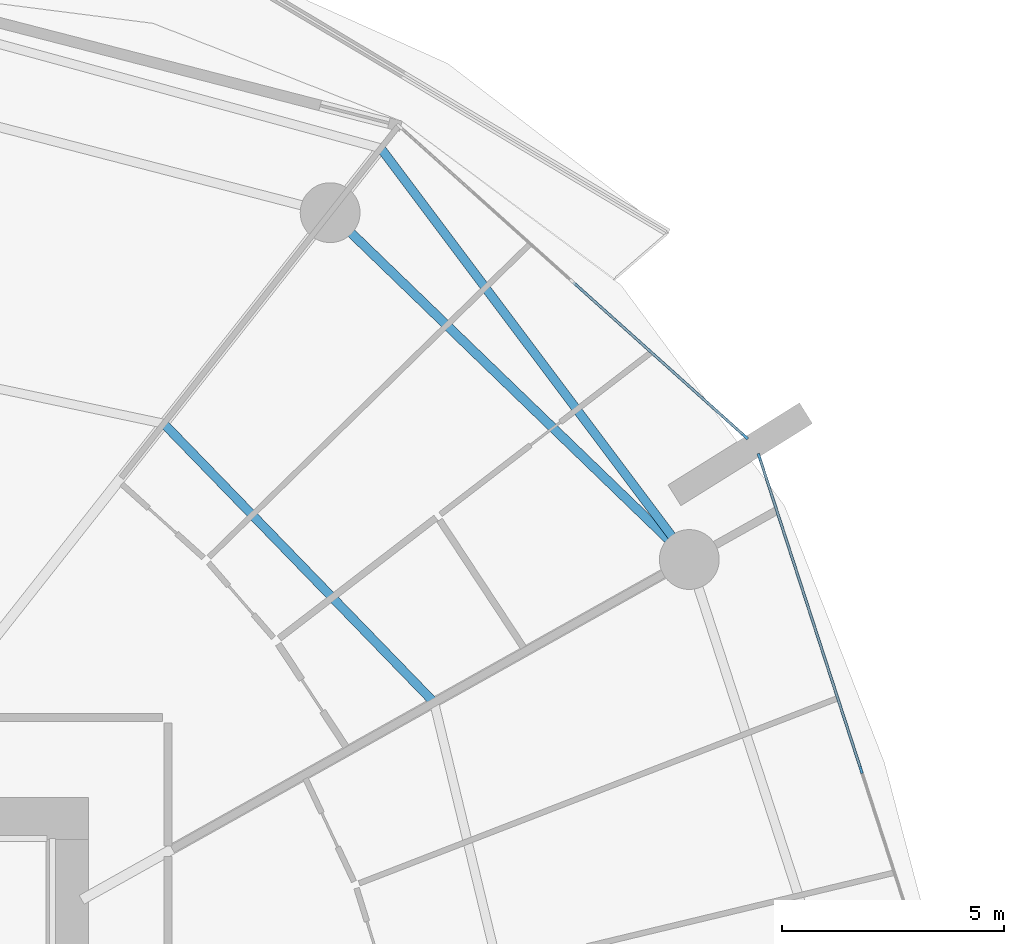
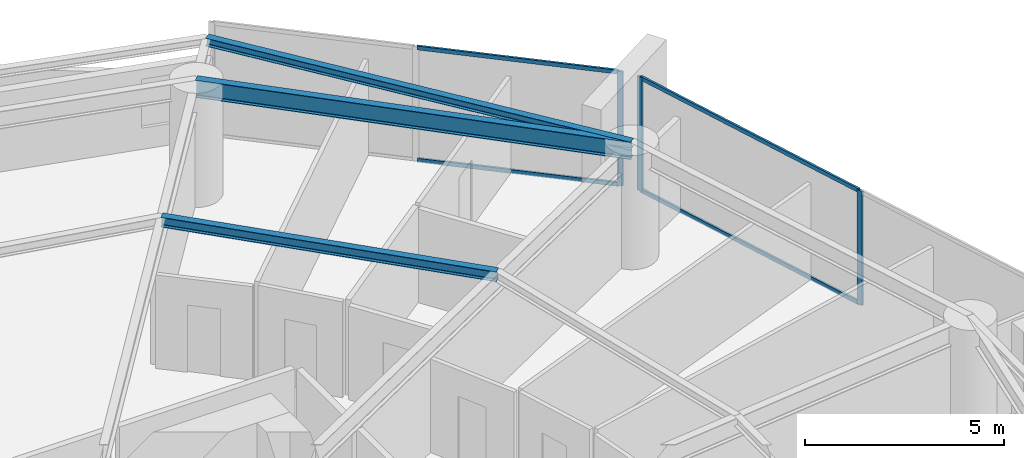
# One storey, part 15 of 31: 7 members, 3 beams, 2 elements without a shape of their own.
"""IFC4 building model written with IfcOpenShell, lengths in metres."""

from ifc_helpers import new_model, si_unit, direction, frame, origin, origin_2d, place, context, subcontext, project, spatial, rectangle, i_section, extrude, material, layer, layer_set, material_profile, profile_set, type_object, element, aggregate, save


model = new_model("IFC4")

# Units and contexts
model_context = context("Model", 3, precision=1e-05, world=origin(), true_north=direction((0.0, 1.0)))
body_context = subcontext(model_context, "Body", "Model", "MODEL_VIEW")
ifc_project = project(units=[si_unit("LENGTHUNIT", "METRE"), si_unit("AREAUNIT", "SQUARE_METRE"), si_unit("VOLUMEUNIT", "CUBIC_METRE"), si_unit("PLANEANGLEUNIT", "RADIAN"), si_unit("MASSUNIT", "GRAM", prefix="KILO")], contexts=[model_context])

# Site, building, storey
site_placement = place(None, origin())
site = spatial("IfcSite", under=ifc_project, at=site_placement, CompositionType="ELEMENT")
building_placement = place(site_placement, origin())
building = spatial("IfcBuilding", under=site, at=building_placement, Name="Kazma Halo Residences", CompositionType="ELEMENT")
storey_placement = place(building_placement, frame((0.0, 0.0, 60.14990234375)))
storey = spatial("IfcBuildingStorey", under=building, at=storey_placement, Name="L14", CompositionType="ELEMENT", Elevation=60.14990234375)

# Beams
ifc_material_1 = material(Name="Steel S355", Category="steel")
ifc_material_profile_1 = material_profile(ifc_material_1, i_section(OverallWidth=0.201904296875, OverallDepth=0.2470703125, WebThickness=0.00732421875, FlangeThickness=0.010986328125, FilletRadius=0.011962890625, at=origin_2d()), Name="W250x49.1")
ifc_profile_set_1 = profile_set([ifc_material_profile_1], Name="Steel S355")
beam_type_1 = type_object("IfcBeamType", Name="BM-BAL-CANT", PredefinedType="BEAM", material=ifc_profile_set_1)
beam_1_placement = place(storey_placement, frame((73.56494140625, 56.317138671875, 3.376708984375), z_axis=(-0.600026935007, 0.799979798037, 0.0), x_axis=(-0.799979798037, -0.600026935007, 0.0)))
element("IfcBeam", 1, at=beam_1_placement, inside=storey, type_object=beam_type_1, Name="L14 wave-balcony lead tie beam 01", PredefinedType="BEAM", context=body_context, shape_type="SweptSolid", body=[
    extrude(i_section(OverallWidth=0.201904296875, OverallDepth=0.2470703125, WebThickness=0.00732421875, FlangeThickness=0.010986328125, FilletRadius=0.011962890625, at=origin_2d()), origin(), (0.0, 0.0, 1.0), 11.601806640625),
])
ifc_material_profile_2 = material_profile(ifc_material_1, i_section(OverallWidth=0.202880859375, OverallDepth=0.302978515625, WebThickness=0.007568359375, FlangeThickness=0.01318359375, FilletRadius=0.013916015625, at=origin_2d()), Name="W310x60")
ifc_profile_set_2 = profile_set([ifc_material_profile_2], Name="Steel S355")
beam_type_2 = type_object("IfcBeamType", Name="BM-SEC-W310A", PredefinedType="JOIST", material=ifc_profile_set_2)
beam_2_placement = place(storey_placement, frame((67.8046875, 53.09130859375, 3.3486328125), z_axis=(-0.696130608567, 0.717915159205, 0.0), x_axis=(-0.717915159205, -0.696130608567, 0.0)))
element("IfcBeam", 2, at=beam_2_placement, inside=storey, type_object=beam_type_2, Name="L14 circumferential floor joist 01", PredefinedType="JOIST", context=body_context, shape_type="SweptSolid", body=[
    extrude(i_section(OverallWidth=0.202880859375, OverallDepth=0.302978515625, WebThickness=0.007568359375, FlangeThickness=0.01318359375, FilletRadius=0.013916015625, at=origin_2d()), origin(), (0.0, 0.0, 1.0), 8.763916015625),
])
ifc_material_profile_3 = material_profile(ifc_material_1, i_section(OverallWidth=0.208984375, OverallDepth=0.532958984375, WebThickness=0.01025390625, FlangeThickness=0.015625, FilletRadius=0.01611328125, at=origin_2d()), Name="W530x92")
ifc_profile_set_3 = profile_set([ifc_material_profile_3], Name="Steel S355")
beam_type_3 = type_object("IfcBeamType", Name="BM-SPN-W530", PredefinedType="BEAM", material=ifc_profile_set_3)
beam_3_placement = place(storey_placement, frame((73.56494140625, 56.317138671875, 3.233642578125), z_axis=(-0.719336506967, 0.694661780829, 0.0), x_axis=(-0.694661780829, -0.719336506967, 0.0)))
element("IfcBeam", 3, at=beam_3_placement, inside=storey, type_object=beam_type_3, Name="L14 perimeter ring beam 01", PredefinedType="BEAM", context=body_context, shape_type="SweptSolid", body=[
    extrude(i_section(OverallWidth=0.208984375, OverallDepth=0.532958984375, WebThickness=0.01025390625, FlangeThickness=0.015625, FilletRadius=0.01611328125, at=origin_2d()), origin(), (0.0, 0.0, 1.0), 11.269775390625),
])

# Curtain wall, member
ifc_material_2 = material(Name="Aluminium AW-6063 T6 and Triple-Silver Low-E Glass", Category="aluminium")
ifc_layer = layer(ifc_material_2, 0.159912109375)
ifc_layer_set = layer_set([ifc_layer], Name="Aluminium AW-6063 T6 and Triple-Silver Low-E Glass")
curtain_wall_type = type_object("IfcCurtainWallType", Name="CW-SYS-2", PredefinedType="NOTDEFINED", material=ifc_layer_set)
curtain_wall_1_placement = place(storey_placement, origin())
curtain_wall_1 = element("IfcCurtainWall", 4, at=curtain_wall_1_placement, inside=storey, type_object=curtain_wall_type, Name="L14 unitised curtain wall B01", PredefinedType="NOTDEFINED")
ifc_material_3 = material(Name="Aluminium AW-6063 T6", Category="aluminium")
ifc_material_profile_4 = material_profile(ifc_material_3, rectangle(XDim=0.06005859375, YDim=0.159912109375, at=origin_2d()), Name="CWM-60x160")
ifc_profile_set_4 = profile_set([ifc_material_profile_4], Name="Aluminium AW-6063 T6")
member_type_1 = type_object("IfcMemberType", Name="CW-SYS-2-MUL", PredefinedType="MULLION", material=ifc_profile_set_4)
member_1_placement = place(storey_placement, frame((74.82666015625, 59.091796875, 0.0), z_axis=(0.0, 0.0, 1.0), x_axis=(-0.667821453854, -0.744321506993, 0.0)))
member_1 = element("IfcMember", 5, at=member_1_placement, type_object=member_type_1, Name="CWS-2 mullion 1", PredefinedType="MULLION", context=body_context, shape_type="SweptSolid", body=[
    extrude(rectangle(XDim=0.06005859375, YDim=0.159912109375, at=origin_2d()), origin(), (0.0, 0.0, 1.0), 3.5),
])

# Curtain wall, members
curtain_wall_2_placement = place(storey_placement, origin())
curtain_wall_2 = element("IfcCurtainWall", 6, at=curtain_wall_2_placement, inside=storey, type_object=curtain_wall_type, Name="L14 unitised curtain wall B16", PredefinedType="NOTDEFINED")
member_2_placement = place(storey_placement, frame((77.44189453125, 51.56640625, 0.0), z_axis=(0.0, 0.0, 1.0), x_axis=(-0.95105652404, -0.309016970539, 0.0)))
member_2 = element("IfcMember", 7, at=member_2_placement, type_object=member_type_1, Name="CWS-2 mullion 2", PredefinedType="MULLION", context=body_context, shape_type="SweptSolid", body=[
    extrude(rectangle(XDim=0.06005859375, YDim=0.159912109375, at=origin_2d()), origin(), (0.0, 0.0, 1.0), 3.5),
])
member_3_placement = place(storey_placement, frame((75.145751953125, 58.63330078125, 0.0), z_axis=(0.0, 0.0, 1.0), x_axis=(-0.95105652404, -0.309016970539, 0.0)))
member_3 = element("IfcMember", 8, at=member_3_placement, type_object=member_type_1, Name="CWS-2 mullion 3", PredefinedType="MULLION", context=body_context, shape_type="SweptSolid", body=[
    extrude(rectangle(XDim=0.06005859375, YDim=0.159912109375, at=origin_2d()), origin(), (0.0, 0.0, 1.0), 3.5),
])

# Member
ifc_material_profile_5 = material_profile(ifc_material_3, rectangle(XDim=0.06005859375, YDim=0.1201171875, at=origin_2d()), Name="CWT-60x120")
ifc_profile_set_5 = profile_set([ifc_material_profile_5], Name="Aluminium AW-6063 T6")
member_type_2 = type_object("IfcMemberType", Name="CW-SYS-2-TRN", PredefinedType="USERDEFINED", material=ifc_profile_set_5)
member_4_placement = place(storey_placement, frame((74.80419921875, 59.11181640625, 0.030029296875), z_axis=(-0.744329408538, 0.66781264707, 0.0), x_axis=(-0.66781264707, -0.744329408538, 0.0)))
member_4 = element("IfcMember", 9, at=member_4_placement, type_object=member_type_2, Name="CWS-2 transom 1.1", ObjectType="TRANSOM", PredefinedType="USERDEFINED", context=body_context, shape_type="SweptSolid", body=[
    extrude(rectangle(XDim=0.06005859375, YDim=0.1201171875, at=origin_2d()), origin(), (0.0, 0.0, 1.0), 5.178466796875),
])

member_5_placement = place(storey_placement, frame((74.80419921875, 59.11181640625, 3.47021484375), z_axis=(-0.744329408538, 0.66781264707, 0.0), x_axis=(-0.66781264707, -0.744329408538, 0.0)))
member_5 = element("IfcMember", 10, at=member_5_placement, type_object=member_type_2, Name="CWS-2 transom 1.2", ObjectType="TRANSOM", PredefinedType="USERDEFINED", context=body_context, shape_type="SweptSolid", body=[
    extrude(rectangle(XDim=0.06005859375, YDim=0.1201171875, at=origin_2d()), origin(), (0.0, 0.0, 1.0), 5.178466796875),
])

aggregate(curtain_wall_1, [member_1, member_4, member_5])

member_6_placement = place(storey_placement, frame((77.4326171875, 51.5947265625, 0.030029296875), z_axis=(-0.309004433966, 0.951060597328, 0.0), x_axis=(-0.951060597328, -0.309004433966, 0.0)))
member_6 = element("IfcMember", 11, at=member_6_placement, type_object=member_type_2, Name="CWS-2 transom 2.1", ObjectType="TRANSOM", PredefinedType="USERDEFINED", context=body_context, shape_type="SweptSolid", body=[
    extrude(rectangle(XDim=0.06005859375, YDim=0.1201171875, at=origin_2d()), origin(), (0.0, 0.0, 1.0), 7.370849609375),
])

member_7_placement = place(storey_placement, frame((77.4326171875, 51.5947265625, 3.47021484375), z_axis=(-0.309004433966, 0.951060597328, 0.0), x_axis=(-0.951060597328, -0.309004433966, 0.0)))
member_7 = element("IfcMember", 12, at=member_7_placement, type_object=member_type_2, Name="CWS-2 transom 2.2", ObjectType="TRANSOM", PredefinedType="USERDEFINED", context=body_context, shape_type="SweptSolid", body=[
    extrude(rectangle(XDim=0.06005859375, YDim=0.1201171875, at=origin_2d()), origin(), (0.0, 0.0, 1.0), 7.370849609375),
])

aggregate(curtain_wall_2, [member_2, member_3, member_6, member_7])

save(model, "model.ifc")
